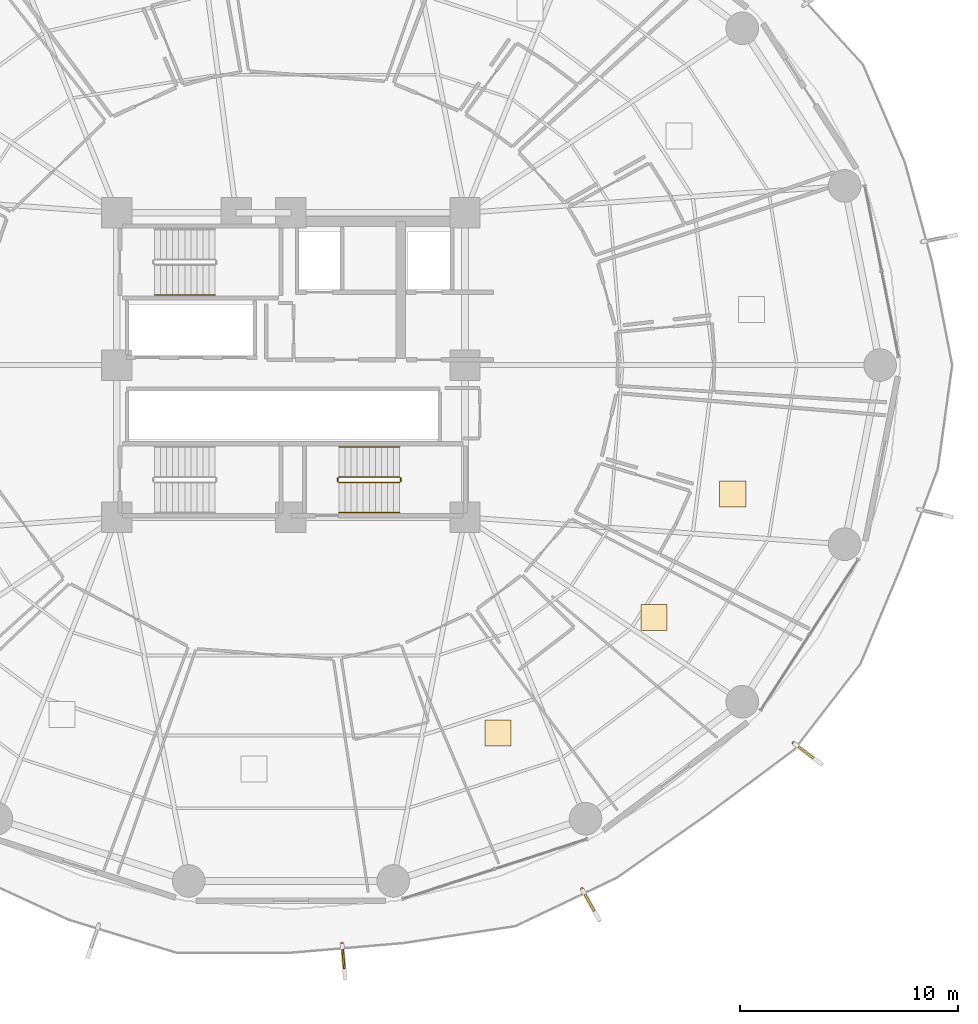
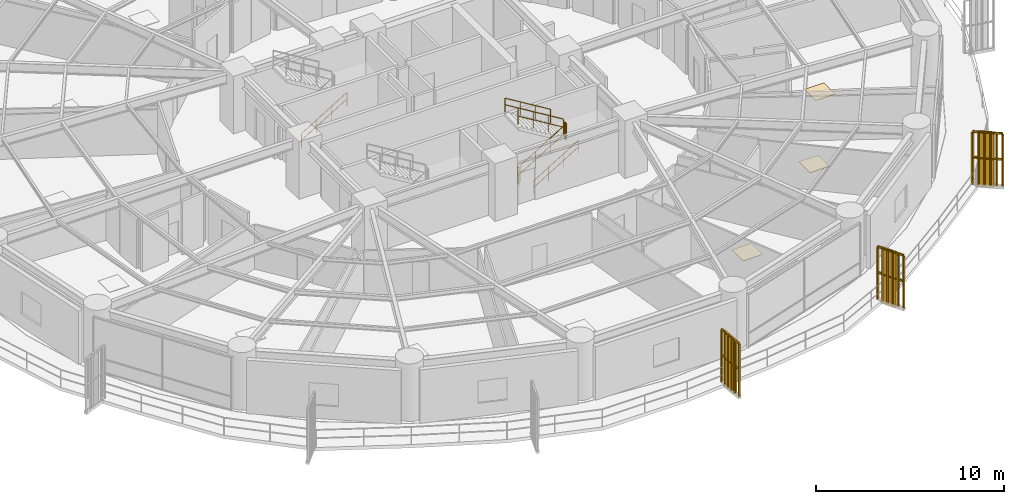
# One storey, part 28 of 31: 10 railings, 3 coverings, 3 shading devices.
"""IFC4 building model written with IfcOpenShell, lengths in metres."""

import ifcopenshell
import ifcopenshell.guid

model = None  # the IFC model being written
_history = None  # IfcOwnerHistory: only IFC2X3 demands one
_inside = {}  # id of a spatial element -> (the spatial element, [elements in it])
_under = {}  # id of a project, library or spatial element -> (it, [spatial elements below it])
_declared = {}  # id of a project -> (the project, [libraries it declares])
_typed = {}  # id of a type object -> (the type object, [elements of that type])
_made_of = {}  # id of a material, layer set ... -> (it, [elements and type objects made of it])


def new_model(schema):
    """Start an empty IFC model of exactly this schema.

    Asked for "IFC4X3", IfcOpenShell would pick the latest addendum, in which some entities
    have other attributes; the version numbers below select the first issue.
    IFC2X3 requires an IfcOwnerHistory on every rooted entity: one is made here for all.
    """
    global model, _history
    if schema == "IFC4X3":
        model = ifcopenshell.file(schema_version=(4, 3, 0, 0))
    else:
        model = ifcopenshell.file(schema=schema)
    _inside.clear()
    _under.clear()
    _declared.clear()
    _typed.clear()
    _made_of.clear()
    _history = None
    if model.schema == "IFC2X3":
        org = make("IfcOrganization", Name="unknown")
        user = make(
            "IfcPersonAndOrganization",
            ThePerson=make("IfcPerson", FamilyName="unknown"),
            TheOrganization=org,
        )
        app = make(
            "IfcApplication",
            ApplicationDeveloper=org,
            Version="unknown",
            ApplicationFullName="unknown",
            ApplicationIdentifier="unknown",
        )
        _history = make(
            "IfcOwnerHistory",
            OwningUser=user,
            OwningApplication=app,
            ChangeAction="ADDED",
            CreationDate=0,
        )
    return model


def make(cls, **values):
    """One entity of the class cls with the attributes given. An attribute that is None is left unset."""
    return model.create_entity(
        cls, **{name: value for name, value in values.items() if value is not None}
    )


def rooted(cls, **values):
    """An entity with a GlobalId (a new one), such as an element, a storey or a relation."""
    return make(cls, GlobalId=ifcopenshell.guid.new(), OwnerHistory=_history, **values)


def si_unit(unit_type, name, prefix=None):
    """IfcSIUnit, for example si_unit("LENGTHUNIT", "METRE", prefix="MILLI")."""
    return make("IfcSIUnit", UnitType=unit_type, Prefix=prefix, Name=name)


def assignment(units):
    """IfcUnitAssignment: the units of a project."""
    return None if units is None else make("IfcUnitAssignment", Units=units)


def point(xyz):
    """IfcCartesianPoint."""
    return None if xyz is None else make("IfcCartesianPoint", Coordinates=xyz)


def direction(xyz):
    """IfcDirection."""
    return None if xyz is None else make("IfcDirection", DirectionRatios=xyz)


def frame(location, z_axis=None, x_axis=None):
    """IfcAxis2Placement3D, a coordinate frame: its origin and axes. An axis left out is left unset."""
    return make(
        "IfcAxis2Placement3D",
        Location=point(location),
        Axis=direction(z_axis),
        RefDirection=direction(x_axis),
    )


def frame_2d(location, x_axis=None):
    """IfcAxis2Placement2D, a coordinate frame in the plane: its origin and x axis."""
    return make(
        "IfcAxis2Placement2D", Location=point(location), RefDirection=direction(x_axis)
    )


def origin():
    """The frame at (0, 0, 0) with its axes left unset."""
    return frame((0.0, 0.0, 0.0))


def origin_2d():
    """The frame at (0, 0) in the plane with its x axis left unset."""
    return frame_2d((0.0, 0.0))


def place(relative_to, where):
    """IfcLocalPlacement: puts the frame where relative to a parent placement (None: the world)."""
    return make(
        "IfcLocalPlacement", PlacementRelTo=relative_to, RelativePlacement=where
    )


def context(
    kind, dimensions, precision=None, world=None, true_north=None, identifier=None
):
    """IfcGeometricRepresentationContext, for example the 3D "Model" context."""
    return make(
        "IfcGeometricRepresentationContext",
        ContextIdentifier=identifier,
        ContextType=kind,
        CoordinateSpaceDimension=dimensions,
        Precision=precision,
        WorldCoordinateSystem=world,
        TrueNorth=true_north,
    )


def subcontext(parent, identifier, kind, view, scale=None):
    """IfcGeometricRepresentationSubContext, for example "Body" below "Model"."""
    return make(
        "IfcGeometricRepresentationSubContext",
        ContextIdentifier=identifier,
        ContextType=kind,
        ParentContext=parent,
        TargetScale=scale,
        TargetView=view,
    )


def project(units=None, contexts=None):
    """IfcProject with its units and contexts."""
    return rooted(
        "IfcProject",
        Name="project",
        RepresentationContexts=contexts,
        UnitsInContext=assignment(units),
    )


def spatial(cls, under=None, at=None, **own):
    """A site, building, storey or space (cls), placed at a placement, below another one or the project."""
    s = rooted(cls, ObjectPlacement=at, **own)
    if under is not None:
        _under.setdefault(under.id(), (under, []))[1].append(s)
    return s


def polyline(points):
    """IfcPolyline through the points."""
    return make("IfcPolyline", Points=[point(p) for p in points])


def profile(cls, at=None, kind="AREA", **sizes):
    """A parametric profile (cls). Its sizes go by their IFC names, for example OverallWidth=200.0."""
    return make(cls, ProfileType=kind, Position=at, **sizes)


def rectangle(**sizes):
    """IfcRectangleProfileDef."""
    return profile("IfcRectangleProfileDef", **sizes)


def outline(outer, holes=None, kind="AREA"):
    """IfcArbitraryClosedProfileDef: a profile drawn as a closed curve; with holes, ...WithVoids."""
    if holes is None:
        return make("IfcArbitraryClosedProfileDef", ProfileType=kind, OuterCurve=outer)
    return make(
        "IfcArbitraryProfileDefWithVoids",
        ProfileType=kind,
        OuterCurve=outer,
        InnerCurves=holes,
    )


def extrude(swept, where, along, depth):
    """IfcExtrudedAreaSolid: the profile swept, set in the frame where, extruded along a direction by depth."""
    return make(
        "IfcExtrudedAreaSolid",
        SweptArea=swept,
        Position=where,
        ExtrudedDirection=direction(along),
        Depth=depth,
    )


def shape(context_of_items, identifier, shape_type, items):
    """IfcShapeRepresentation: the items that make up one representation, for example the "Body"."""
    return make(
        "IfcShapeRepresentation",
        ContextOfItems=context_of_items,
        RepresentationIdentifier=identifier,
        RepresentationType=shape_type,
        Items=items,
    )


def source(mapping_origin, context_of_items, identifier, shape_type, items):
    """IfcRepresentationMap: a shape defined once, which mapped items show again and again."""
    return make(
        "IfcRepresentationMap",
        MappingOrigin=mapping_origin,
        MappedRepresentation=shape(context_of_items, identifier, shape_type, items),
    )


def transform(
    local_origin,
    x_axis=None,
    y_axis=None,
    z_axis=None,
    scale=None,
    scale2=None,
    scale3=None,
    uniform=True,
):
    """IfcCartesianTransformationOperator3D, or its non-uniform kind. x_axis, y_axis, z_axis: its Axis1, 2, 3."""
    if uniform:
        return make(
            "IfcCartesianTransformationOperator3D",
            Axis1=direction(x_axis),
            Axis2=direction(y_axis),
            LocalOrigin=point(local_origin),
            Scale=scale,
            Axis3=direction(z_axis),
        )
    return make(
        "IfcCartesianTransformationOperator3DnonUniform",
        Axis1=direction(x_axis),
        Axis2=direction(y_axis),
        LocalOrigin=point(local_origin),
        Scale=scale,
        Axis3=direction(z_axis),
        Scale2=scale2,
        Scale3=scale3,
    )


def mapped(mapping_source, mapping_target):
    """IfcMappedItem: shows the shape of a source again, moved by a transform."""
    return make(
        "IfcMappedItem", MappingSource=mapping_source, MappingTarget=mapping_target
    )


def material(Name=None, Category=None):
    """IfcMaterial."""
    return make("IfcMaterial", Name=Name, Category=Category)


def layer(
    of_material, thickness, ventilated=None, Name=None, Category=None, Priority=None
):
    """IfcMaterialLayer: one layer of a wall or slab, of a material (None: an air gap)."""
    return make(
        "IfcMaterialLayer",
        Material=of_material,
        LayerThickness=thickness,
        IsVentilated=ventilated,
        Name=Name,
        Category=Category,
        Priority=Priority,
    )


def layer_set(layers, Name=None):
    """IfcMaterialLayerSet."""
    return make("IfcMaterialLayerSet", MaterialLayers=layers, LayerSetName=Name)


def made_of(thing, what):
    """Note that an element or type object is made of a material, layer set ...; save() writes the relation."""
    if what is not None:
        _made_of.setdefault(what.id(), (what, []))[1].append(thing)
    return thing


def type_object(cls, material=None, **own):
    """A type object (cls), such as IfcWallType, which elements share."""
    return made_of(rooted(cls, **own), material)


def element(
    cls,
    number,
    at=None,
    inside=None,
    cuts=None,
    type_object=None,
    material=None,
    context=None,
    identifier="Body",
    shape_type=None,
    held_by="IfcProductDefinitionShape",
    body=None,
    shapes=None,
    **own,
):
    """One element of the class cls, such as IfcWall. Its Tag is "e" and its number.

    at: its placement. inside: the storey or other place that contains it. cuts: it is an
    opening in that element (IfcRelVoidsElement). A single representation is given by context,
    identifier, shape_type and body (its items); several are given by shapes. held_by: the class
    of the entity that holds the representations. save() writes the other relations.
    """
    e = rooted(cls, Tag="e%d" % number, ObjectPlacement=at, **own)
    if body is not None:
        shapes = [shape(context, identifier, shape_type, body)]
    if shapes is not None:
        e.Representation = make(held_by, Representations=shapes)
    if inside is not None:
        _inside.setdefault(inside.id(), (inside, []))[1].append(e)
    if cuts is not None:
        rooted(
            "IfcRelVoidsElement", RelatingBuildingElement=cuts, RelatedOpeningElement=e
        )
    if type_object is not None:
        _typed.setdefault(type_object.id(), (type_object, []))[1].append(e)
    return made_of(e, material)


def aggregate(whole, parts):
    """IfcRelAggregates: a whole, such as a stair, and the parts it consists of."""
    return rooted("IfcRelAggregates", RelatingObject=whole, RelatedObjects=parts)


def save(model, path):
    """Write the relations noted so far, then the file.

    IfcRelAggregates (storeys below a building ...), IfcRelContainedInSpatialStructure (elements
    in a storey), IfcRelDefinesByType, IfcRelAssociatesMaterial and IfcRelDeclares: one each for
    every whole, place, type object, material and project.
    """
    for whole, parts in _under.values():
        aggregate(whole, parts)
    for where, things in _inside.values():
        rooted(
            "IfcRelContainedInSpatialStructure",
            RelatedElements=things,
            RelatingStructure=where,
        )
    for kind, things in _typed.values():
        rooted("IfcRelDefinesByType", RelatedObjects=things, RelatingType=kind)
    for what, things in _made_of.values():
        rooted("IfcRelAssociatesMaterial", RelatedObjects=things, RelatingMaterial=what)
    for by, libraries in _declared.values():
        rooted("IfcRelDeclares", RelatingContext=by, RelatedDefinitions=libraries)
    model.write(path)


model = new_model("IFC4")

# Units and contexts
model_context = context("Model", 3, precision=1e-05, world=origin(), true_north=direction((0.0, 1.0)))
body_context = subcontext(model_context, "Body", "Model", "MODEL_VIEW")
ifc_project = project(units=[si_unit("LENGTHUNIT", "METRE"), si_unit("AREAUNIT", "SQUARE_METRE"), si_unit("VOLUMEUNIT", "CUBIC_METRE"), si_unit("PLANEANGLEUNIT", "RADIAN"), si_unit("MASSUNIT", "GRAM", prefix="KILO")], contexts=[model_context])

# Site, building, storey
site_placement = place(None, origin())
site = spatial("IfcSite", under=ifc_project, at=site_placement, CompositionType="ELEMENT")
building_placement = place(site_placement, origin())
building = spatial("IfcBuilding", under=site, at=building_placement, Name="Kelanora Arch Commons", CompositionType="ELEMENT")
storey_placement = place(building_placement, frame((0.0, 0.0, 63.75)))
storey = spatial("IfcBuildingStorey", under=building, at=storey_placement, Name="L16", CompositionType="ELEMENT", Elevation=63.75)

# Railings
ifc_material_1 = material(Name="Anodised bronze vertical shading fin rib assembly")
railing_type_1 = type_object("IfcRailingType", Name="RAIL-FIN-BRZ", PredefinedType="BALUSTRADE", material=ifc_material_1)
railing_1_placement = place(storey_placement, frame((76.35009765625, 31.415283203125, -0.02001953125)))
element("IfcRailing", 1, at=railing_1_placement, inside=storey, type_object=railing_type_1, Name="Sweeping Bronze Vertical Fin Blade L16-10", PredefinedType="BALUSTRADE", context=body_context, shape_type="SweptSolid", body=[
    extrude(outline(polyline([(0.06982421875, 0.0), (0.034912109375, 0.060546875), (-0.034912109375, 0.060546875), (-0.06982421875, 0.0), (-0.034912109375, -0.060546875), (0.034912109375, -0.060546875), (0.06982421875, 0.0)])), frame((0.0, 0.0, 3.419921875), z_axis=(0.088153723185, -0.996106882362, 0.0), x_axis=(0.996106882362, 0.088153723185, 0.0)), (0.0, 0.0, 1.0), 1.617431640625),
    extrude(outline(polyline([(0.06982421875, 0.0), (0.034912109375, 0.060546875), (-0.034912109375, 0.060546875), (-0.06982421875, 0.0), (-0.034912109375, -0.060546875), (0.034912109375, -0.060546875), (0.06982421875, 0.0)])), frame((0.0, 0.0, 1.7451171875), z_axis=(0.088153723185, -0.996106882362, 0.0), x_axis=(0.996106882362, 0.088153723185, 0.0)), (0.0, 0.0, 1.0), 1.617431640625),
    extrude(outline(polyline([(0.080078125, 0.0), (0.0400390625, 0.0693359375), (-0.0400390625, 0.0693359375), (-0.080078125, 0.0), (-0.0400390625, -0.0693359375), (0.0400390625, -0.0693359375), (0.080078125, 0.0)])), origin(), (0.0, 0.0, 1.0), 3.35009765625),
    extrude(outline(polyline([(0.080078125, 0.0), (0.0400390625, 0.0693359375), (-0.0400390625, 0.0693359375), (-0.080078125, 0.0), (-0.0400390625, -0.0693359375), (0.0400390625, -0.0693359375), (0.080078125, 0.0)])), frame((0.028564453125, -0.322265625, 0.0)), (0.0, 0.0, 1.0), 3.35009765625),
    extrude(outline(polyline([(0.080078125, 0.0), (0.0400390625, 0.0693359375), (-0.0400390625, 0.0693359375), (-0.080078125, 0.0), (-0.0400390625, -0.0693359375), (0.0400390625, -0.0693359375), (0.080078125, 0.0)])), frame((0.05712890625, -0.64453125, 0.0)), (0.0, 0.0, 1.0), 3.35009765625),
    extrude(outline(polyline([(0.080078125, 0.0), (0.0400390625, 0.0693359375), (-0.0400390625, 0.0693359375), (-0.080078125, 0.0), (-0.0400390625, -0.0693359375), (0.0400390625, -0.0693359375), (0.080078125, 0.0)])), frame((0.08544921875, -0.966552734375, 0.0)), (0.0, 0.0, 1.0), 3.35009765625),
    extrude(outline(polyline([(0.080078125, 0.0), (0.0400390625, 0.0693359375), (-0.0400390625, 0.0693359375), (-0.080078125, 0.0), (-0.0400390625, -0.0693359375), (0.0400390625, -0.0693359375), (0.080078125, 0.0)])), frame((0.114013671875, -1.288818359375, 0.0)), (0.0, 0.0, 1.0), 3.35009765625),
    extrude(outline(polyline([(0.080078125, 0.0), (0.0400390625, 0.0693359375), (-0.0400390625, 0.0693359375), (-0.080078125, 0.0), (-0.0400390625, -0.0693359375), (0.0400390625, -0.0693359375), (0.080078125, 0.0)])), frame((0.142578125, -1.611083984375, 0.0)), (0.0, 0.0, 1.0), 3.35009765625),
])
railing_2_placement = place(storey_placement, frame((87.3779296875, 33.917236328125, -0.02001953125)))
element("IfcRailing", 2, at=railing_2_placement, inside=storey, type_object=railing_type_1, Name="Sweeping Bronze Vertical Fin Blade L16-11", PredefinedType="BALUSTRADE", context=body_context, shape_type="SweptSolid", body=[
    extrude(outline(polyline([(0.06982421875, 0.0), (0.034912109375, 0.060546875), (-0.034912109375, 0.060546875), (-0.06982421875, 0.0), (-0.034912109375, -0.060546875), (0.034912109375, -0.060546875), (0.06982421875, 0.0)])), frame((0.0, 0.0, 3.419921875), z_axis=(0.485617297363, -0.874171516639, 0.0), x_axis=(0.874171516639, 0.485617297363, 0.0)), (0.0, 0.0, 1.0), 1.617431640625),
    extrude(outline(polyline([(0.06982421875, 0.0), (0.034912109375, 0.060546875), (-0.034912109375, 0.060546875), (-0.06982421875, 0.0), (-0.034912109375, -0.060546875), (0.034912109375, -0.060546875), (0.06982421875, 0.0)])), frame((0.0, 0.0, 1.7451171875), z_axis=(0.485617297363, -0.874171516639, 0.0), x_axis=(0.874171516639, 0.485617297363, 0.0)), (0.0, 0.0, 1.0), 1.617431640625),
    extrude(outline(polyline([(0.080078125, 0.0), (0.0400390625, 0.0693359375), (-0.0400390625, 0.0693359375), (-0.080078125, 0.0), (-0.0400390625, -0.0693359375), (0.0400390625, -0.0693359375), (0.080078125, 0.0)])), origin(), (0.0, 0.0, 1.0), 3.35009765625),
    extrude(outline(polyline([(0.080078125, 0.0), (0.0400390625, 0.0693359375), (-0.0400390625, 0.0693359375), (-0.080078125, 0.0), (-0.0400390625, -0.0693359375), (0.0400390625, -0.0693359375), (0.080078125, 0.0)])), frame((0.156982421875, -0.28271484375, 0.0)), (0.0, 0.0, 1.0), 3.35009765625),
    extrude(outline(polyline([(0.080078125, 0.0), (0.0400390625, 0.0693359375), (-0.0400390625, 0.0693359375), (-0.080078125, 0.0), (-0.0400390625, -0.0693359375), (0.0400390625, -0.0693359375), (0.080078125, 0.0)])), frame((0.314208984375, -0.5654296875, 0.0)), (0.0, 0.0, 1.0), 3.35009765625),
    extrude(outline(polyline([(0.080078125, 0.0), (0.0400390625, 0.0693359375), (-0.0400390625, 0.0693359375), (-0.080078125, 0.0), (-0.0400390625, -0.0693359375), (0.0400390625, -0.0693359375), (0.080078125, 0.0)])), frame((0.47119140625, -0.848388671875, 0.0)), (0.0, 0.0, 1.0), 3.35009765625),
    extrude(outline(polyline([(0.080078125, 0.0), (0.0400390625, 0.0693359375), (-0.0400390625, 0.0693359375), (-0.080078125, 0.0), (-0.0400390625, -0.0693359375), (0.0400390625, -0.0693359375), (0.080078125, 0.0)])), frame((0.62841796875, -1.131103515625, 0.0)), (0.0, 0.0, 1.0), 3.35009765625),
    extrude(outline(polyline([(0.080078125, 0.0), (0.0400390625, 0.0693359375), (-0.0400390625, 0.0693359375), (-0.080078125, 0.0), (-0.0400390625, -0.0693359375), (0.0400390625, -0.0693359375), (0.080078125, 0.0)])), frame((0.785400390625, -1.413818359375, 0.0)), (0.0, 0.0, 1.0), 3.35009765625),
])
railing_3_placement = place(storey_placement, frame((97.09375, 40.63037109375, -0.02001953125)))
element("IfcRailing", 3, at=railing_3_placement, inside=storey, type_object=railing_type_1, Name="Sweeping Bronze Vertical Fin Blade L16-12", PredefinedType="BALUSTRADE", context=body_context, shape_type="SweptSolid", body=[
    extrude(outline(polyline([(0.06982421875, 0.0), (0.034912109375, 0.060546875), (-0.034912109375, 0.060546875), (-0.06982421875, 0.0), (-0.034912109375, -0.060546875), (0.034912109375, -0.060546875), (0.06982421875, 0.0)])), frame((0.0, 0.0, 3.419921875), z_axis=(0.799220482246, -0.601037952843, 0.0), x_axis=(0.601037952843, 0.799220482246, 0.0)), (0.0, 0.0, 1.0), 1.617431640625),
    extrude(outline(polyline([(0.06982421875, 0.0), (0.034912109375, 0.060546875), (-0.034912109375, 0.060546875), (-0.06982421875, 0.0), (-0.034912109375, -0.060546875), (0.034912109375, -0.060546875), (0.06982421875, 0.0)])), frame((0.0, 0.0, 1.7451171875), z_axis=(0.799220482246, -0.601037952843, 0.0), x_axis=(0.601037952843, 0.799220482246, 0.0)), (0.0, 0.0, 1.0), 1.617431640625),
    extrude(outline(polyline([(0.080078125, 0.0), (0.0400390625, 0.0693359375), (-0.0400390625, 0.0693359375), (-0.080078125, 0.0), (-0.0400390625, -0.0693359375), (0.0400390625, -0.0693359375), (0.080078125, 0.0)])), origin(), (0.0, 0.0, 1.0), 3.35009765625),
    extrude(outline(polyline([(0.080078125, 0.0), (0.0400390625, 0.0693359375), (-0.0400390625, 0.0693359375), (-0.080078125, 0.0), (-0.0400390625, -0.0693359375), (0.0400390625, -0.0693359375), (0.080078125, 0.0)])), frame((0.258544921875, -0.1943359375, 0.0)), (0.0, 0.0, 1.0), 3.35009765625),
    extrude(outline(polyline([(0.080078125, 0.0), (0.0400390625, 0.0693359375), (-0.0400390625, 0.0693359375), (-0.080078125, 0.0), (-0.0400390625, -0.0693359375), (0.0400390625, -0.0693359375), (0.080078125, 0.0)])), frame((0.51708984375, -0.388916015625, 0.0)), (0.0, 0.0, 1.0), 3.35009765625),
    extrude(outline(polyline([(0.080078125, 0.0), (0.0400390625, 0.0693359375), (-0.0400390625, 0.0693359375), (-0.080078125, 0.0), (-0.0400390625, -0.0693359375), (0.0400390625, -0.0693359375), (0.080078125, 0.0)])), frame((0.775634765625, -0.583251953125, 0.0)), (0.0, 0.0, 1.0), 3.35009765625),
    extrude(outline(polyline([(0.080078125, 0.0), (0.0400390625, 0.0693359375), (-0.0400390625, 0.0693359375), (-0.080078125, 0.0), (-0.0400390625, -0.0693359375), (0.0400390625, -0.0693359375), (0.080078125, 0.0)])), frame((1.0341796875, -0.77783203125, 0.0)), (0.0, 0.0, 1.0), 3.35009765625),
    extrude(outline(polyline([(0.080078125, 0.0), (0.0400390625, 0.0693359375), (-0.0400390625, 0.0693359375), (-0.080078125, 0.0), (-0.0400390625, -0.0693359375), (0.0400390625, -0.0693359375), (0.080078125, 0.0)])), frame((1.292724609375, -0.97216796875, 0.0)), (0.0, 0.0, 1.0), 3.35009765625),
])
ifc_material_2 = material(Name="Painted steel stair well guard", Category="steel")
railing_type_2 = type_object("IfcRailingType", Name="RAIL-STAIR-GRD", PredefinedType="GUARDRAIL", material=ifc_material_2)
railing_4_placement = place(storey_placement, frame((76.199951171875, 52.610107421875, 0.17041015625)))
element("IfcRailing", 4, at=railing_4_placement, inside=storey, type_object=railing_type_2, Name="L16 ST-T2 stair guard 1", PredefinedType="GUARDRAIL", context=body_context, shape_type="SweptSolid", body=[
    extrude(outline(polyline([(0.02392578125, 0.0), (0.011962890625, 0.020751953125), (-0.011962890625, 0.020751953125), (-0.02392578125, 0.0), (-0.011962890625, -0.020751953125), (0.011962890625, -0.020751953125), (0.02392578125, 0.0)])), frame((0.0, 0.0, 1.076171875), z_axis=(0.854169791009, 0.0, 0.51999420009), x_axis=(0.0, 1.0, 0.0)), (0.0, 0.0, 1.0), 3.278076171875),
    extrude(outline(polyline([(0.02392578125, 0.0), (0.011962890625, 0.020751953125), (-0.011962890625, 0.020751953125), (-0.02392578125, 0.0), (-0.011962890625, -0.020751953125), (0.011962890625, -0.020751953125), (0.02392578125, 0.0)])), frame((0.0, 0.0, 0.550048828125), z_axis=(0.854169791009, 0.0, 0.51999420009), x_axis=(0.0, 1.0, 0.0)), (0.0, 0.0, 1.0), 3.278076171875),
    extrude(outline(polyline([(0.02099609375, 0.0), (0.010498046875, 0.01806640625), (-0.010498046875, 0.01806640625), (-0.02099609375, 0.0), (-0.010498046875, -0.01806640625), (0.010498046875, -0.01806640625), (0.02099609375, 0.0)])), origin(), (0.0, 0.0, 1.0), 1.052001953125),
    extrude(outline(polyline([(0.02099609375, 0.0), (0.010498046875, 0.01806640625), (-0.010498046875, 0.01806640625), (-0.02099609375, 0.0), (-0.010498046875, -0.01806640625), (0.010498046875, -0.01806640625), (0.02099609375, 0.0)])), frame((0.933349609375, 0.0, 0.568115234375)), (0.0, 0.0, 1.0), 1.052001953125),
    extrude(outline(polyline([(0.02099609375, 0.0), (0.010498046875, 0.01806640625), (-0.010498046875, 0.01806640625), (-0.02099609375, 0.0), (-0.010498046875, -0.01806640625), (0.010498046875, -0.01806640625), (0.02099609375, 0.0)])), frame((1.86669921875, 0.0, 1.136474609375)), (0.0, 0.0, 1.0), 1.052001953125),
    extrude(outline(polyline([(0.02099609375, 0.0), (0.010498046875, 0.01806640625), (-0.010498046875, 0.01806640625), (-0.02099609375, 0.0), (-0.010498046875, -0.01806640625), (0.010498046875, -0.01806640625), (0.02099609375, 0.0)])), frame((2.800048828125, 0.0, 1.70458984375)), (0.0, 0.0, 1.0), 1.052001953125),
])
railing_5_placement = place(storey_placement, frame((79.050048828125, 52.659912109375, 1.875)))
element("IfcRailing", 5, at=railing_5_placement, inside=storey, type_object=railing_type_2, Name="L16 ST-T2 stair guard 2", PredefinedType="GUARDRAIL", context=body_context, shape_type="SweptSolid", body=[
    extrude(outline(polyline([(0.02392578125, 0.0), (0.011962890625, 0.020751953125), (-0.011962890625, 0.020751953125), (-0.02392578125, 0.0), (-0.011962890625, -0.020751953125), (0.011962890625, -0.020751953125), (0.02392578125, 0.0)])), frame((0.0, 0.0, 1.076171875), z_axis=(0.0, 1.0, 0.0), x_axis=(-1.0, 0.0, 0.0)), (0.0, 0.0, 1.0), 0.150146484375),
    extrude(outline(polyline([(0.02392578125, 0.0), (0.011962890625, 0.020751953125), (-0.011962890625, 0.020751953125), (-0.02392578125, 0.0), (-0.011962890625, -0.020751953125), (0.011962890625, -0.020751953125), (0.02392578125, 0.0)])), frame((0.0, 0.0, 0.550048828125), z_axis=(0.0, 1.0, 0.0), x_axis=(-1.0, 0.0, 0.0)), (0.0, 0.0, 1.0), 0.150146484375),
    extrude(outline(polyline([(0.02099609375, 0.0), (0.010498046875, 0.01806640625), (-0.010498046875, 0.01806640625), (-0.02099609375, 0.0), (-0.010498046875, -0.01806640625), (0.010498046875, -0.01806640625), (0.02099609375, 0.0)])), origin(), (0.0, 0.0, 1.0), 1.052001953125),
    extrude(outline(polyline([(0.02099609375, 0.0), (0.010498046875, 0.01806640625), (-0.010498046875, 0.01806640625), (-0.02099609375, 0.0), (-0.010498046875, -0.01806640625), (0.010498046875, -0.01806640625), (0.02099609375, 0.0)])), frame((0.0, 0.150146484375, 0.0)), (0.0, 0.0, 1.0), 1.052001953125),
])
railing_6_placement = place(storey_placement, frame((79.0, 52.860107421875, 2.04541015625)))
element("IfcRailing", 6, at=railing_6_placement, inside=storey, type_object=railing_type_2, Name="L16 ST-T2 stair guard 3", PredefinedType="GUARDRAIL", context=body_context, shape_type="SweptSolid", body=[
    extrude(outline(polyline([(0.02392578125, 0.0), (0.011962890625, 0.020751953125), (-0.011962890625, 0.020751953125), (-0.02392578125, 0.0), (-0.011962890625, -0.020751953125), (0.011962890625, -0.020751953125), (0.02392578125, 0.0)])), frame((0.0, 0.0, 1.076171875), z_axis=(-0.854169791009, 0.0, 0.51999420009), x_axis=(0.0, -1.0, 0.0)), (0.0, 0.0, 1.0), 3.278076171875),
    extrude(outline(polyline([(0.02392578125, 0.0), (0.011962890625, 0.020751953125), (-0.011962890625, 0.020751953125), (-0.02392578125, 0.0), (-0.011962890625, -0.020751953125), (0.011962890625, -0.020751953125), (0.02392578125, 0.0)])), frame((0.0, 0.0, 0.550048828125), z_axis=(-0.854169791009, 0.0, 0.51999420009), x_axis=(0.0, -1.0, 0.0)), (0.0, 0.0, 1.0), 3.278076171875),
    extrude(outline(polyline([(0.02099609375, 0.0), (0.010498046875, 0.01806640625), (-0.010498046875, 0.01806640625), (-0.02099609375, 0.0), (-0.010498046875, -0.01806640625), (0.010498046875, -0.01806640625), (0.02099609375, 0.0)])), origin(), (0.0, 0.0, 1.0), 1.052001953125),
    extrude(outline(polyline([(0.02099609375, 0.0), (0.010498046875, 0.01806640625), (-0.010498046875, 0.01806640625), (-0.02099609375, 0.0), (-0.010498046875, -0.01806640625), (0.010498046875, -0.01806640625), (0.02099609375, 0.0)])), frame((-0.933349609375, 0.0, 0.568115234375)), (0.0, 0.0, 1.0), 1.052001953125),
    extrude(outline(polyline([(0.02099609375, 0.0), (0.010498046875, 0.01806640625), (-0.010498046875, 0.01806640625), (-0.02099609375, 0.0), (-0.010498046875, -0.01806640625), (0.010498046875, -0.01806640625), (0.02099609375, 0.0)])), frame((-1.86669921875, 0.0, 1.136474609375)), (0.0, 0.0, 1.0), 1.052001953125),
    extrude(outline(polyline([(0.02099609375, 0.0), (0.010498046875, 0.01806640625), (-0.010498046875, 0.01806640625), (-0.02099609375, 0.0), (-0.010498046875, -0.01806640625), (0.010498046875, -0.01806640625), (0.02099609375, 0.0)])), frame((-2.800048828125, 0.0, 1.70458984375)), (0.0, 0.0, 1.0), 1.052001953125),
])
railing_7_placement = place(storey_placement, frame((76.14990234375, 52.659912109375, 0.0)))
element("IfcRailing", 7, at=railing_7_placement, inside=storey, type_object=railing_type_2, Name="L16 ST-T2 stair guard 4", PredefinedType="GUARDRAIL", context=body_context, shape_type="SweptSolid", body=[
    extrude(outline(polyline([(0.02392578125, 0.0), (0.011962890625, 0.020751953125), (-0.011962890625, 0.020751953125), (-0.02392578125, 0.0), (-0.011962890625, -0.020751953125), (0.011962890625, -0.020751953125), (0.02392578125, 0.0)])), frame((0.0, 0.0, 1.076171875), z_axis=(0.0, 1.0, 0.0), x_axis=(-1.0, 0.0, 0.0)), (0.0, 0.0, 1.0), 0.150146484375),
    extrude(outline(polyline([(0.02392578125, 0.0), (0.011962890625, 0.020751953125), (-0.011962890625, 0.020751953125), (-0.02392578125, 0.0), (-0.011962890625, -0.020751953125), (0.011962890625, -0.020751953125), (0.02392578125, 0.0)])), frame((0.0, 0.0, 0.550048828125), z_axis=(0.0, 1.0, 0.0), x_axis=(-1.0, 0.0, 0.0)), (0.0, 0.0, 1.0), 0.150146484375),
    extrude(outline(polyline([(0.02099609375, 0.0), (0.010498046875, 0.01806640625), (-0.010498046875, 0.01806640625), (-0.02099609375, 0.0), (-0.010498046875, -0.01806640625), (0.010498046875, -0.01806640625), (0.02099609375, 0.0)])), origin(), (0.0, 0.0, 1.0), 1.052001953125),
    extrude(outline(polyline([(0.02099609375, 0.0), (0.010498046875, 0.01806640625), (-0.010498046875, 0.01806640625), (-0.02099609375, 0.0), (-0.010498046875, -0.01806640625), (0.010498046875, -0.01806640625), (0.02099609375, 0.0)])), frame((0.0, 0.150146484375, 0.0)), (0.0, 0.0, 1.0), 1.052001953125),
])
ifc_material_3 = material(Name="Brushed stainless steel stair handrail", Category="steel")
railing_type_3 = type_object("IfcRailingType", Name="RAIL-STAIR-HND", PredefinedType="HANDRAIL", material=ifc_material_3)
railing_8_placement = place(storey_placement, frame((67.719970703125, 61.22998046875, 0.17041015625)))
element("IfcRailing", 8, at=railing_8_placement, inside=storey, type_object=railing_type_3, Name="L16 ST-T1 stair handrail 1", PredefinedType="HANDRAIL", context=body_context, shape_type="SweptSolid", body=[
    extrude(outline(polyline([(0.02392578125, 0.0), (0.011962890625, 0.020751953125), (-0.011962890625, 0.020751953125), (-0.02392578125, 0.0), (-0.011962890625, -0.020751953125), (0.011962890625, -0.020751953125), (0.02392578125, 0.0)])), frame((0.0, 0.0, 0.8759765625), z_axis=(0.854169791009, 0.0, 0.51999420009), x_axis=(0.0, 1.0, 0.0)), (0.0, 0.0, 1.0), 3.278076171875),
    extrude(outline(polyline([(0.02392578125, 0.0), (0.011962890625, 0.020751953125), (-0.011962890625, 0.020751953125), (-0.02392578125, 0.0), (-0.011962890625, -0.020751953125), (0.011962890625, -0.020751953125), (0.02392578125, 0.0)])), frame((0.0, 0.0, 0.449951171875), z_axis=(0.854169791009, 0.0, 0.51999420009), x_axis=(0.0, 1.0, 0.0)), (0.0, 0.0, 1.0), 3.278076171875),
    extrude(outline(polyline([(0.02099609375, 0.0), (0.010498046875, 0.01806640625), (-0.010498046875, 0.01806640625), (-0.02099609375, 0.0), (-0.010498046875, -0.01806640625), (0.010498046875, -0.01806640625), (0.02099609375, 0.0)])), origin(), (0.0, 0.0, 1.0), 0.851806640625),
    extrude(outline(polyline([(0.02099609375, 0.0), (0.010498046875, 0.01806640625), (-0.010498046875, 0.01806640625), (-0.02099609375, 0.0), (-0.010498046875, -0.01806640625), (0.010498046875, -0.01806640625), (0.02099609375, 0.0)])), frame((0.933349609375, 0.0, 0.568115234375)), (0.0, 0.0, 1.0), 0.851806640625),
    extrude(outline(polyline([(0.02099609375, 0.0), (0.010498046875, 0.01806640625), (-0.010498046875, 0.01806640625), (-0.02099609375, 0.0), (-0.010498046875, -0.01806640625), (0.010498046875, -0.01806640625), (0.02099609375, 0.0)])), frame((1.86669921875, 0.0, 1.136474609375)), (0.0, 0.0, 1.0), 0.851806640625),
    extrude(outline(polyline([(0.02099609375, 0.0), (0.010498046875, 0.01806640625), (-0.010498046875, 0.01806640625), (-0.02099609375, 0.0), (-0.010498046875, -0.01806640625), (0.010498046875, -0.01806640625), (0.02099609375, 0.0)])), frame((2.800048828125, 0.0, 1.70458984375)), (0.0, 0.0, 1.0), 0.851806640625),
])
railing_9_placement = place(storey_placement, frame((76.199951171875, 51.22998046875, 0.17041015625)))
element("IfcRailing", 9, at=railing_9_placement, inside=storey, type_object=railing_type_3, Name="L16 ST-T2 stair handrail 1", PredefinedType="HANDRAIL", context=body_context, shape_type="SweptSolid", body=[
    extrude(outline(polyline([(0.02392578125, 0.0), (0.011962890625, 0.020751953125), (-0.011962890625, 0.020751953125), (-0.02392578125, 0.0), (-0.011962890625, -0.020751953125), (0.011962890625, -0.020751953125), (0.02392578125, 0.0)])), frame((0.0, 0.0, 0.8759765625), z_axis=(0.854169791009, 0.0, 0.51999420009), x_axis=(0.0, 1.0, 0.0)), (0.0, 0.0, 1.0), 3.278076171875),
    extrude(outline(polyline([(0.02392578125, 0.0), (0.011962890625, 0.020751953125), (-0.011962890625, 0.020751953125), (-0.02392578125, 0.0), (-0.011962890625, -0.020751953125), (0.011962890625, -0.020751953125), (0.02392578125, 0.0)])), frame((0.0, 0.0, 0.449951171875), z_axis=(0.854169791009, 0.0, 0.51999420009), x_axis=(0.0, 1.0, 0.0)), (0.0, 0.0, 1.0), 3.278076171875),
    extrude(outline(polyline([(0.02099609375, 0.0), (0.010498046875, 0.01806640625), (-0.010498046875, 0.01806640625), (-0.02099609375, 0.0), (-0.010498046875, -0.01806640625), (0.010498046875, -0.01806640625), (0.02099609375, 0.0)])), origin(), (0.0, 0.0, 1.0), 0.851806640625),
    extrude(outline(polyline([(0.02099609375, 0.0), (0.010498046875, 0.01806640625), (-0.010498046875, 0.01806640625), (-0.02099609375, 0.0), (-0.010498046875, -0.01806640625), (0.010498046875, -0.01806640625), (0.02099609375, 0.0)])), frame((0.933349609375, 0.0, 0.568115234375)), (0.0, 0.0, 1.0), 0.851806640625),
    extrude(outline(polyline([(0.02099609375, 0.0), (0.010498046875, 0.01806640625), (-0.010498046875, 0.01806640625), (-0.02099609375, 0.0), (-0.010498046875, -0.01806640625), (0.010498046875, -0.01806640625), (0.02099609375, 0.0)])), frame((1.86669921875, 0.0, 1.136474609375)), (0.0, 0.0, 1.0), 0.851806640625),
    extrude(outline(polyline([(0.02099609375, 0.0), (0.010498046875, 0.01806640625), (-0.010498046875, 0.01806640625), (-0.02099609375, 0.0), (-0.010498046875, -0.01806640625), (0.010498046875, -0.01806640625), (0.02099609375, 0.0)])), frame((2.800048828125, 0.0, 1.70458984375)), (0.0, 0.0, 1.0), 0.851806640625),
])
railing_10_placement = place(storey_placement, frame((79.0, 54.239990234375, 2.04541015625)))
element("IfcRailing", 10, at=railing_10_placement, inside=storey, type_object=railing_type_3, Name="L16 ST-T2 stair handrail 2", PredefinedType="HANDRAIL", context=body_context, shape_type="SweptSolid", body=[
    extrude(outline(polyline([(0.02392578125, 0.0), (0.011962890625, 0.020751953125), (-0.011962890625, 0.020751953125), (-0.02392578125, 0.0), (-0.011962890625, -0.020751953125), (0.011962890625, -0.020751953125), (0.02392578125, 0.0)])), frame((0.0, 0.0, 0.8759765625), z_axis=(-0.854169791009, 0.0, 0.51999420009), x_axis=(0.0, -1.0, 0.0)), (0.0, 0.0, 1.0), 3.278076171875),
    extrude(outline(polyline([(0.02392578125, 0.0), (0.011962890625, 0.020751953125), (-0.011962890625, 0.020751953125), (-0.02392578125, 0.0), (-0.011962890625, -0.020751953125), (0.011962890625, -0.020751953125), (0.02392578125, 0.0)])), frame((0.0, 0.0, 0.449951171875), z_axis=(-0.854169791009, 0.0, 0.51999420009), x_axis=(0.0, -1.0, 0.0)), (0.0, 0.0, 1.0), 3.278076171875),
    extrude(outline(polyline([(0.02099609375, 0.0), (0.010498046875, 0.01806640625), (-0.010498046875, 0.01806640625), (-0.02099609375, 0.0), (-0.010498046875, -0.01806640625), (0.010498046875, -0.01806640625), (0.02099609375, 0.0)])), origin(), (0.0, 0.0, 1.0), 0.851806640625),
    extrude(outline(polyline([(0.02099609375, 0.0), (0.010498046875, 0.01806640625), (-0.010498046875, 0.01806640625), (-0.02099609375, 0.0), (-0.010498046875, -0.01806640625), (0.010498046875, -0.01806640625), (0.02099609375, 0.0)])), frame((-0.933349609375, 0.0, 0.568115234375)), (0.0, 0.0, 1.0), 0.851806640625),
    extrude(outline(polyline([(0.02099609375, 0.0), (0.010498046875, 0.01806640625), (-0.010498046875, 0.01806640625), (-0.02099609375, 0.0), (-0.010498046875, -0.01806640625), (0.010498046875, -0.01806640625), (0.02099609375, 0.0)])), frame((-1.86669921875, 0.0, 1.136474609375)), (0.0, 0.0, 1.0), 0.851806640625),
    extrude(outline(polyline([(0.02099609375, 0.0), (0.010498046875, 0.01806640625), (-0.010498046875, 0.01806640625), (-0.02099609375, 0.0), (-0.010498046875, -0.01806640625), (0.010498046875, -0.01806640625), (0.02099609375, 0.0)])), frame((-2.800048828125, 0.0, 1.70458984375)), (0.0, 0.0, 1.0), 0.851806640625),
])

# Shading devices
ifc_material_4 = material(Name="Terracotta ceramic-clad extruded aluminium fin", Category="masonry")
shading_device_type = type_object("IfcShadingDeviceType", Name="SHD-FIN-FLARE", PredefinedType="USERDEFINED", material=ifc_material_4)
shared_shape_1 = source(origin(), body_context, "Body", "SweptSolid", [
    extrude(rectangle(XDim=0.8798828125, YDim=0.090087890625, at=origin_2d()), origin(), (0.0, 0.0, 1.0), 3.610107421875),
])
for number, where, z_axis, x_axis, name in (
    (11, (76.41357421875, 30.697998046875, -0.14013671875), (0.0, 0.0, 1.0), (0.088025053325, -0.996118261045, 0.0), "Sweeping Terracotta Fin L16-10"),
    (12, (87.7275390625, 33.287841796875, -0.14013671875), (0.0, 0.0, 1.0), (0.485572685227, -0.874196297957, 0.0), "Sweeping Terracotta Fin L16-11"),
    (13, (97.669189453125, 40.197509765625, -0.14013671875), (0.0, 0.0, 1.0), (0.799160388565, -0.601117853128, 0.0), "Sweeping Terracotta Fin L16-12"),
):
    element("IfcShadingDevice", number, at=place(storey_placement, frame(where, z_axis=z_axis, x_axis=x_axis)), inside=storey, type_object=shading_device_type, Name=name, ObjectType="FIN", PredefinedType="USERDEFINED", context=body_context, shape_type="MappedRepresentation", body=[
        mapped(shared_shape_1, transform((0.0, 0.0, 0.0), scale=1.0)),
    ])

# Coverings
ifc_material_5 = material(Name="Polished local granite terrazzo flooring", Category="masonry")
ifc_layer = layer(ifc_material_5, 0.030029296875)
ifc_layer_set = layer_set([ifc_layer], Name="Polished local granite terrazzo flooring")
covering_type = type_object("IfcCoveringType", Name="COV-FLR-TER", PredefinedType="FLOORING", material=ifc_layer_set)
shared_shape_2 = source(origin(), body_context, "Body", "SweptSolid", [
    extrude(rectangle(XDim=1.199951171875, YDim=1.199951171875, at=origin_2d()), origin(), (0.0, 0.0, 1.0), 0.030029296875),
])
for number, where, z_axis, x_axis, name in (
    (14, (83.512939453125, 41.092529296875, 0.0), (0.0, 0.0, 1.0), (1.0, 0.0, 0.0), "Quiet Reading Carrel L16-11 Terrazzo Finish"),
    (15, (90.6845703125, 46.403564453125, 0.0), (0.0, 0.0, 1.0), (1.0, 0.0, 0.0), "Tutorial Study Alcove L16-12 Terrazzo Finish"),
    (16, (94.30615234375, 52.06494140625, 0.0), (0.0, 0.0, 1.0), (1.0, 0.0, 0.0), "Co-Living Studio L16-13 Terrazzo Finish"),
):
    element("IfcCovering", number, at=place(storey_placement, frame(where, z_axis=z_axis, x_axis=x_axis)), inside=storey, type_object=covering_type, Name=name, PredefinedType="FLOORING", context=body_context, shape_type="MappedRepresentation", body=[
        mapped(shared_shape_2, transform((0.0, 0.0, 0.0), scale=1.0)),
    ])

save(model, "model.ifc")
